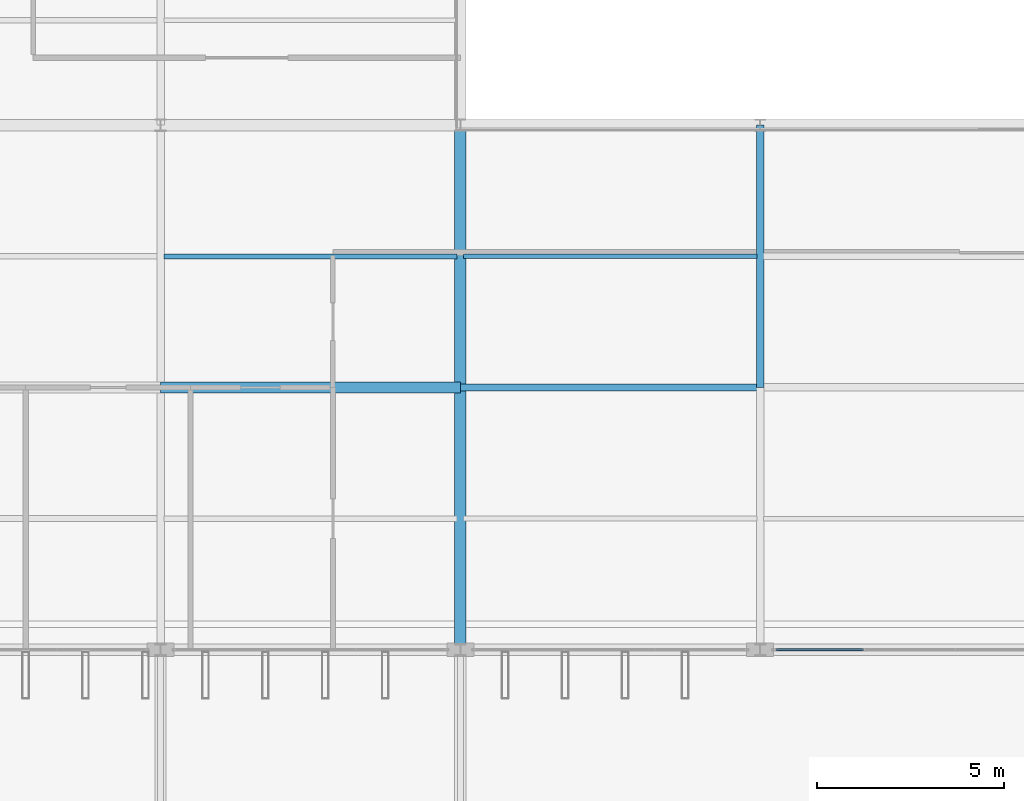
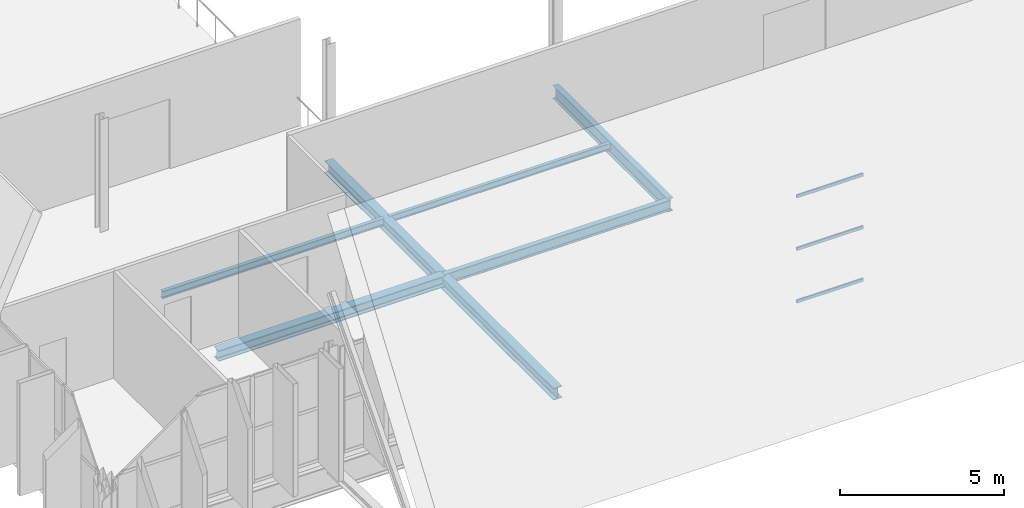
# One storey, part 31 of 93: 6 beams, 3 members, 1 element without a shape of its own.
"""IFC4 building model written with IfcOpenShell, lengths in metres."""

from ifc_helpers import new_model, si_unit, direction, frame, origin, origin_2d, place, context, subcontext, project, spatial, hollow_rectangle, i_section, extrude, material, layer, layer_set, material_profile, profile_set, type_object, element, aggregate, save


model = new_model("IFC4")

# Units and contexts
model_context = context("Model", 3, precision=1e-05, world=origin(), true_north=direction((0.0, 1.0)))
body_context = subcontext(model_context, "Body", "Model", "MODEL_VIEW")
ifc_project = project(units=[si_unit("LENGTHUNIT", "METRE"), si_unit("AREAUNIT", "SQUARE_METRE"), si_unit("VOLUMEUNIT", "CUBIC_METRE"), si_unit("PLANEANGLEUNIT", "RADIAN"), si_unit("MASSUNIT", "GRAM", prefix="KILO")], contexts=[model_context])

# Site, building, storey
site_placement = place(None, origin())
site = spatial("IfcSite", under=ifc_project, at=site_placement, CompositionType="ELEMENT")
building_placement = place(site_placement, origin())
building = spatial("IfcBuilding", under=site, at=building_placement, Name="Vekula Escarpment Museum", CompositionType="ELEMENT")
storey_placement = place(building_placement, frame((0.0, 0.0, 22.199951171875)))
storey = spatial("IfcBuildingStorey", under=building, at=storey_placement, Name="L05", CompositionType="ELEMENT", Elevation=22.199951171875)

# Beams
ifc_material_1 = material(Name="Steel S355", Category="steel")
ifc_material_profile_1 = material_profile(ifc_material_1, i_section(OverallWidth=0.300048828125, OverallDepth=0.39990234375, WebThickness=0.013427734375, FlangeThickness=0.02392578125, FilletRadius=0.027099609375, at=origin_2d()), Name="HEB 400")
ifc_profile_set_1 = profile_set([ifc_material_profile_1], Name="Steel S355")
beam_type_1 = type_object("IfcBeamType", Name="BM-GIRD-HEB400", PredefinedType="BEAM", material=ifc_profile_set_1)
beam_1_placement = place(storey_placement, frame((78.0, 52.60009765625, -0.419921875), z_axis=(1.0, 0.0, 0.0), x_axis=(0.0, 1.0, 0.0)))
element("IfcBeam", 1, at=beam_1_placement, inside=storey, type_object=beam_type_1, Name="Beam X L05 1967", PredefinedType="BEAM", context=body_context, shape_type="SweptSolid", body=[
    extrude(i_section(OverallWidth=0.300048828125, OverallDepth=0.39990234375, WebThickness=0.013427734375, FlangeThickness=0.02392578125, FilletRadius=0.027099609375, at=origin_2d()), origin(), (0.0, 0.0, 1.0), 8.0),
])
ifc_material_2 = material(Name="Steel S355", Category="steel")
ifc_material_profile_2 = material_profile(ifc_material_2, i_section(OverallWidth=0.179931640625, OverallDepth=0.39990234375, WebThickness=0.008544921875, FlangeThickness=0.013427734375, FilletRadius=0.02099609375, at=origin_2d()), Name="IPE 400")
ifc_profile_set_2 = profile_set([ifc_material_profile_2], Name="Steel S355")
beam_type_2 = type_object("IfcBeamType", Name="BM-GIRD-IPE400", PredefinedType="BEAM", material=ifc_profile_set_2)
beam_2_placement = place(storey_placement, frame((86.0, 52.60009765625, -0.419921875), z_axis=(1.0, 0.0, 0.0), x_axis=(0.0, 1.0, 0.0)))
element("IfcBeam", 2, at=beam_2_placement, inside=storey, type_object=beam_type_2, Name="Beam X L05 1968", PredefinedType="BEAM", context=body_context, shape_type="SweptSolid", body=[
    extrude(i_section(OverallWidth=0.179931640625, OverallDepth=0.39990234375, WebThickness=0.008544921875, FlangeThickness=0.013427734375, FilletRadius=0.02099609375, at=origin_2d()), origin(), (0.0, 0.0, 1.0), 8.0),
])
ifc_material_3 = material(Name="Steel S355", Category="steel")
ifc_material_profile_3 = material_profile(ifc_material_3, i_section(OverallWidth=0.199951171875, OverallDepth=0.5, WebThickness=0.01025390625, FlangeThickness=0.01611328125, FilletRadius=0.02099609375, at=origin_2d()), Name="IPE 500")
ifc_profile_set_3 = profile_set([ifc_material_profile_3], Name="Steel S355")
beam_type_3 = type_object("IfcBeamType", Name="BM-GIRD-IPE500", PredefinedType="BEAM", material=ifc_profile_set_3)
beam_3_placement = place(storey_placement, frame((94.0, 52.60009765625, -0.469970703125), z_axis=(0.0, 1.0, 0.0), x_axis=(-1.0, 0.0, 0.0)))
element("IfcBeam", 3, at=beam_3_placement, inside=storey, type_object=beam_type_3, Name="Beam Y L05 2135", PredefinedType="BEAM", context=body_context, shape_type="SweptSolid", body=[
    extrude(i_section(OverallWidth=0.199951171875, OverallDepth=0.5, WebThickness=0.01025390625, FlangeThickness=0.01611328125, FilletRadius=0.02099609375, at=origin_2d()), origin(), (0.0, 0.0, 1.0), 7.0),
])
ifc_material_4 = material(Name="Steel S355", Category="steel")
ifc_material_profile_4 = material_profile(ifc_material_4, i_section(OverallWidth=0.1201171875, OverallDepth=0.239990234375, WebThickness=0.006103515625, FlangeThickness=0.009765625, FilletRadius=0.014892578125, at=origin_2d()), Name="IPE 240")
ifc_profile_set_4 = profile_set([ifc_material_profile_4], Name="Steel S355")
beam_type_4 = type_object("IfcBeamType", Name="BM-JST-IPE240", PredefinedType="JOIST", material=ifc_profile_set_4)
beam_4_placement = place(storey_placement, frame((86.090087890625, 56.10009765625, -0.33984375), z_axis=(1.0, 0.0, 0.0), x_axis=(0.0, 1.0, 0.0)))
element("IfcBeam", 4, at=beam_4_placement, inside=storey, type_object=beam_type_4, Name="Secondary Joist L05 1356", PredefinedType="JOIST", context=body_context, shape_type="SweptSolid", body=[
    extrude(i_section(OverallWidth=0.1201171875, OverallDepth=0.239990234375, WebThickness=0.006103515625, FlangeThickness=0.009765625, FilletRadius=0.014892578125, at=origin_2d()), origin(), (0.0, 0.0, 1.0), 7.81982421875),
])
ifc_material_5 = material(Name="Steel S355", Category="steel")
ifc_material_profile_5 = material_profile(ifc_material_5, i_section(OverallWidth=0.135009765625, OverallDepth=0.27001953125, WebThickness=0.006591796875, FlangeThickness=0.01025390625, FilletRadius=0.014892578125, at=origin_2d()), Name="IPE 270")
ifc_profile_set_5 = profile_set([ifc_material_profile_5], Name="Steel S355")
beam_type_5 = type_object("IfcBeamType", Name="BM-JST-IPE270", PredefinedType="JOIST", material=ifc_profile_set_5)
beam_5_placement = place(storey_placement, frame((78.090087890625, 56.10009765625, -0.35498046875), z_axis=(1.0, 0.0, 0.0), x_axis=(0.0, 1.0, 0.0)))
element("IfcBeam", 5, at=beam_5_placement, inside=storey, type_object=beam_type_5, Name="Secondary Joist L05 1348", PredefinedType="JOIST", context=body_context, shape_type="SweptSolid", body=[
    extrude(i_section(OverallWidth=0.135009765625, OverallDepth=0.27001953125, WebThickness=0.006591796875, FlangeThickness=0.01025390625, FilletRadius=0.014892578125, at=origin_2d()), origin(), (0.0, 0.0, 1.0), 7.81982421875),
])
ifc_material_6 = material(Name="Steel S355", Category="steel")
ifc_material_profile_6 = material_profile(ifc_material_6, i_section(OverallWidth=0.300048828125, OverallDepth=0.43994140625, WebThickness=0.011474609375, FlangeThickness=0.02099609375, FilletRadius=0.027099609375, at=origin_2d()), Name="HEA 450")
ifc_profile_set_6 = profile_set([ifc_material_profile_6], Name="Steel S355")
beam_type_6 = type_object("IfcBeamType", Name="BM-SPAN-HEA450", PredefinedType="SPANDREL", material=ifc_profile_set_6)
beam_6_placement = place(storey_placement, frame((86.0, 45.60009765625, -0.43994140625), z_axis=(0.0, 1.0, 0.0), x_axis=(-1.0, 0.0, 0.0)))
element("IfcBeam", 6, at=beam_6_placement, inside=storey, type_object=beam_type_6, Name="Beam Y L05 2130", PredefinedType="SPANDREL", context=body_context, shape_type="SweptSolid", body=[
    extrude(i_section(OverallWidth=0.300048828125, OverallDepth=0.43994140625, WebThickness=0.011474609375, FlangeThickness=0.02099609375, FilletRadius=0.027099609375, at=origin_2d()), origin(), (0.0, 0.0, 1.0), 14.0),
])

# Curtain wall, members
ifc_material_7 = material(Name="Aluminium thermally broken framing", Category="aluminium")
ifc_layer = layer(ifc_material_7, 0.139892578125)
ifc_layer_set = layer_set([ifc_layer], Name="Aluminium thermally broken framing")
curtain_wall_type = type_object("IfcCurtainWallType", Name="CW-SYS-06", PredefinedType="NOTDEFINED", material=ifc_layer_set)
curtain_wall_placement = place(storey_placement, origin())
curtain_wall = element("IfcCurtainWall", 7, at=curtain_wall_placement, inside=storey, type_object=curtain_wall_type, Name="Curtain Wall CW-L05-166", PredefinedType="NOTDEFINED")
ifc_material_8 = material(Name="Aluminium anodized transom", Category="aluminium")
ifc_material_profile_7 = material_profile(ifc_material_8, hollow_rectangle(XDim=0.06005859375, YDim=0.1201171875, WallThickness=0.00390625, InnerFilletRadius=0.00390625, OuterFilletRadius=0.008056640625, at=origin_2d()), Name="ALU 120x60x4")
ifc_profile_set_7 = profile_set([ifc_material_profile_7], Name="Aluminium anodized transom")
member_type = type_object("IfcMemberType", Name="CW-TRN-120", PredefinedType="USERDEFINED", material=ifc_profile_set_7)
member_1_placement = place(storey_placement, frame((94.419921875, 45.60009765625, 0.030029296875), z_axis=(1.0, 0.0, 0.0), x_axis=(0.0, 1.0, 0.0)))
member_1 = element("IfcMember", 8, at=member_1_placement, type_object=member_type, Name="CW-06 transom 1.1", ObjectType="TRANSOM", PredefinedType="USERDEFINED", context=body_context, shape_type="SweptSolid", body=[
    extrude(hollow_rectangle(XDim=0.06005859375, YDim=0.1201171875, WallThickness=0.00390625, InnerFilletRadius=0.00390625, OuterFilletRadius=0.008056640625, at=origin_2d()), origin(), (0.0, 0.0, 1.0), 2.336669921875),
])
member_2_placement = place(storey_placement, frame((94.419921875, 45.60009765625, 1.989990234375), z_axis=(1.0, 0.0, 0.0), x_axis=(0.0, 1.0, 0.0)))
member_2 = element("IfcMember", 9, at=member_2_placement, type_object=member_type, Name="CW-06 transom 1.2", ObjectType="TRANSOM", PredefinedType="USERDEFINED", context=body_context, shape_type="SweptSolid", body=[
    extrude(hollow_rectangle(XDim=0.06005859375, YDim=0.1201171875, WallThickness=0.00390625, InnerFilletRadius=0.00390625, OuterFilletRadius=0.008056640625, at=origin_2d()), origin(), (0.0, 0.0, 1.0), 2.336669921875),
])
member_3_placement = place(storey_placement, frame((94.419921875, 45.60009765625, 3.949951171875), z_axis=(1.0, 0.0, 0.0), x_axis=(0.0, 1.0, 0.0)))
member_3 = element("IfcMember", 10, at=member_3_placement, type_object=member_type, Name="CW-06 transom 1.3", ObjectType="TRANSOM", PredefinedType="USERDEFINED", context=body_context, shape_type="SweptSolid", body=[
    extrude(hollow_rectangle(XDim=0.06005859375, YDim=0.1201171875, WallThickness=0.00390625, InnerFilletRadius=0.00390625, OuterFilletRadius=0.008056640625, at=origin_2d()), origin(), (0.0, 0.0, 1.0), 2.336669921875),
])
aggregate(curtain_wall, [member_1, member_2, member_3])

save(model, "model.ifc")
